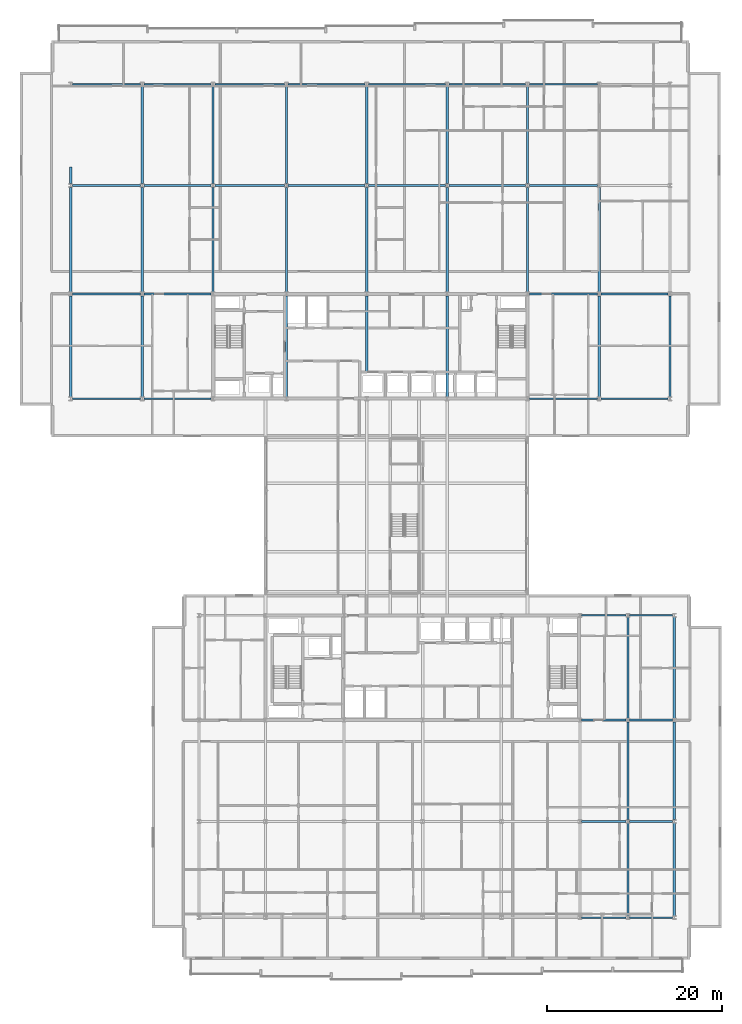
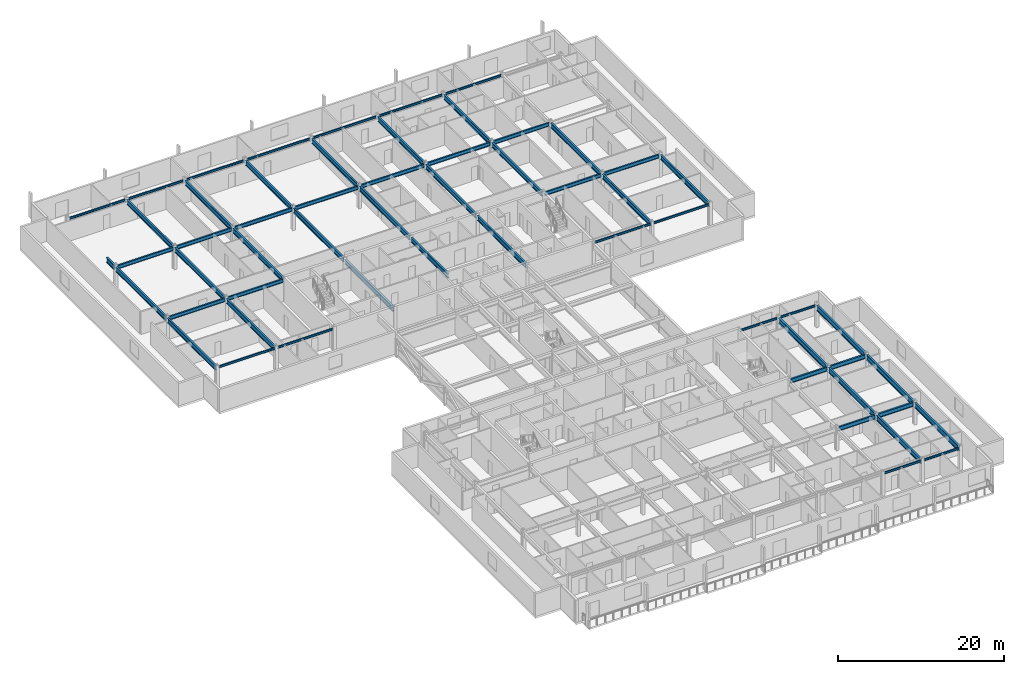
# One storey, part 13 of 36: 58 beams.
"""IFC4 building model written with IfcOpenShell, lengths in metres."""

from ifc_helpers import new_model, si_unit, direction, frame, origin, origin_2d, place, context, subcontext, project, spatial, i_section, extrude, material, material_profile, profile_set, type_object, element, save


model = new_model("IFC4")

# Units and contexts
model_context = context("Model", 3, precision=1e-05, world=origin(), true_north=direction((0.0, 1.0)))
body_context = subcontext(model_context, "Body", "Model", "MODEL_VIEW")
ifc_project = project(units=[si_unit("LENGTHUNIT", "METRE"), si_unit("AREAUNIT", "SQUARE_METRE"), si_unit("VOLUMEUNIT", "CUBIC_METRE"), si_unit("PLANEANGLEUNIT", "RADIAN"), si_unit("MASSUNIT", "GRAM", prefix="KILO")], contexts=[model_context])

# Site, building, storey
site_placement = place(None, origin())
site = spatial("IfcSite", under=ifc_project, at=site_placement, CompositionType="ELEMENT")
building_placement = place(site_placement, origin())
building = spatial("IfcBuilding", under=site, at=building_placement, Name="Korimba Cascade Residences", CompositionType="ELEMENT")
storey_placement = place(building_placement, frame((0.0, 0.0, 142.89990234375)))
storey = spatial("IfcBuildingStorey", under=building, at=storey_placement, Name="L41", CompositionType="ELEMENT", Elevation=142.89990234375)

# Beams
ifc_material = material(Name="Steel S355", Category="steel")
ifc_material_profile_1 = material_profile(ifc_material, i_section(OverallWidth=0.165771484375, OverallDepth=0.306640625, WebThickness=0.006591796875, FlangeThickness=0.01171875, FilletRadius=0.0087890625, at=origin_2d()), Name="Steel S355")
ifc_profile_set_1 = profile_set([ifc_material_profile_1], Name="Steel S355")
beam_type_1 = type_object("IfcBeamType", Name="BM-STL-UB305", PredefinedType="SPANDREL", material=ifc_profile_set_1)
beam_1_placement = place(storey_placement, frame((60.006103515625, 55.199951171875, 3.15673828125), z_axis=(1.0, 0.0, 0.0), x_axis=(0.0, 1.0, 0.0)))
element("IfcBeam", 1, at=beam_1_placement, inside=storey, type_object=beam_type_1, Name="L41 T1 E-W Girder Y1 Bay 1", PredefinedType="SPANDREL", context=body_context, shape_type="SweptSolid", body=[
    extrude(i_section(OverallWidth=0.165771484375, OverallDepth=0.306640625, WebThickness=0.006591796875, FlangeThickness=0.01171875, FilletRadius=0.0087890625, at=origin_2d()), origin(), (0.0, 0.0, 1.0), 7.787841796875),
])
beam_2_placement = place(storey_placement, frame((68.2060546875, 55.199951171875, 3.15673828125), z_axis=(1.0, 0.0, 0.0), x_axis=(0.0, 1.0, 0.0)))
element("IfcBeam", 2, at=beam_2_placement, inside=storey, type_object=beam_type_1, Name="L41 T1 E-W Girder Y1 Bay 2", PredefinedType="SPANDREL", context=body_context, shape_type="SweptSolid", body=[
    extrude(i_section(OverallWidth=0.165771484375, OverallDepth=0.306640625, WebThickness=0.006591796875, FlangeThickness=0.01171875, FilletRadius=0.0087890625, at=origin_2d()), origin(), (0.0, 0.0, 1.0), 7.687744140625),
])
beam_3_placement = place(storey_placement, frame((112.30615234375, 55.199951171875, 3.15673828125), z_axis=(1.0, 0.0, 0.0), x_axis=(0.0, 1.0, 0.0)))
element("IfcBeam", 3, at=beam_3_placement, inside=storey, type_object=beam_type_1, Name="L41 T1 E-W Girder Y1 Bay 7", PredefinedType="SPANDREL", context=body_context, shape_type="SweptSolid", body=[
    extrude(i_section(OverallWidth=0.165771484375, OverallDepth=0.306640625, WebThickness=0.006591796875, FlangeThickness=0.01171875, FilletRadius=0.0087890625, at=origin_2d()), origin(), (0.0, 0.0, 1.0), 7.787841796875),
])
beam_4_placement = place(storey_placement, frame((120.506103515625, 55.199951171875, 3.15673828125), z_axis=(1.0, 0.0, 0.0), x_axis=(0.0, 1.0, 0.0)))
element("IfcBeam", 4, at=beam_4_placement, inside=storey, type_object=beam_type_1, Name="L41 T1 E-W Girder Y1 Bay 8", PredefinedType="SPANDREL", context=body_context, shape_type="SweptSolid", body=[
    extrude(i_section(OverallWidth=0.165771484375, OverallDepth=0.306640625, WebThickness=0.006591796875, FlangeThickness=0.01171875, FilletRadius=0.0087890625, at=origin_2d()), origin(), (0.0, 0.0, 1.0), 7.687744140625),
])
beam_5_placement = place(storey_placement, frame((60.006103515625, 91.199951171875, 3.15673828125), z_axis=(1.0, 0.0, 0.0), x_axis=(0.0, 1.0, 0.0)))
element("IfcBeam", 5, at=beam_5_placement, inside=storey, type_object=beam_type_1, Name="L41 T1 E-W Girder Y4 Bay 1", PredefinedType="SPANDREL", context=body_context, shape_type="SweptSolid", body=[
    extrude(i_section(OverallWidth=0.165771484375, OverallDepth=0.306640625, WebThickness=0.006591796875, FlangeThickness=0.01171875, FilletRadius=0.0087890625, at=origin_2d()), origin(), (0.0, 0.0, 1.0), 7.787841796875),
])
beam_6_placement = place(storey_placement, frame((68.2060546875, 91.199951171875, 3.15673828125), z_axis=(1.0, 0.0, 0.0), x_axis=(0.0, 1.0, 0.0)))
element("IfcBeam", 6, at=beam_6_placement, inside=storey, type_object=beam_type_1, Name="L41 T1 E-W Girder Y4 Bay 2", PredefinedType="SPANDREL", context=body_context, shape_type="SweptSolid", body=[
    extrude(i_section(OverallWidth=0.165771484375, OverallDepth=0.306640625, WebThickness=0.006591796875, FlangeThickness=0.01171875, FilletRadius=0.0087890625, at=origin_2d()), origin(), (0.0, 0.0, 1.0), 7.687744140625),
])
beam_7_placement = place(storey_placement, frame((76.30615234375, 91.199951171875, 3.15673828125), z_axis=(1.0, 0.0, 0.0), x_axis=(0.0, 1.0, 0.0)))
element("IfcBeam", 7, at=beam_7_placement, inside=storey, type_object=beam_type_1, Name="L41 T1 E-W Girder Y4 Bay 3", PredefinedType="SPANDREL", context=body_context, shape_type="SweptSolid", body=[
    extrude(i_section(OverallWidth=0.165771484375, OverallDepth=0.306640625, WebThickness=0.006591796875, FlangeThickness=0.01171875, FilletRadius=0.0087890625, at=origin_2d()), origin(), (0.0, 0.0, 1.0), 7.98779296875),
])
for number, where, z_axis, x_axis, name in (
    (8, (84.7060546875, 91.199951171875, 3.15673828125), (1.0, 0.0, 0.0), (0.0, 1.0, 0.0), "L41 T1 E-W Girder Y4 Bay 4"),
    (9, (93.906005859375, 91.199951171875, 3.15673828125), (1.0, 0.0, 0.0), (0.0, 1.0, 0.0), "L41 T1 E-W Girder Y4 Bay 5"),
):
    element("IfcBeam", number, at=place(storey_placement, frame(where, z_axis=z_axis, x_axis=x_axis)), inside=storey, type_object=beam_type_1, Name=name, PredefinedType="SPANDREL", context=body_context, shape_type="SweptSolid", body=[
        extrude(i_section(OverallWidth=0.165771484375, OverallDepth=0.306640625, WebThickness=0.006591796875, FlangeThickness=0.01171875, FilletRadius=0.0087890625, at=origin_2d()), origin(), (0.0, 0.0, 1.0), 8.787841796875),
    ])
beam_8_placement = place(storey_placement, frame((103.106201171875, 91.199951171875, 3.15673828125), z_axis=(1.0, 0.0, 0.0), x_axis=(0.0, 1.0, 0.0)))
element("IfcBeam", 10, at=beam_8_placement, inside=storey, type_object=beam_type_1, Name="L41 T1 E-W Girder Y4 Bay 6", PredefinedType="SPANDREL", context=body_context, shape_type="SweptSolid", body=[
    extrude(i_section(OverallWidth=0.165771484375, OverallDepth=0.306640625, WebThickness=0.006591796875, FlangeThickness=0.01171875, FilletRadius=0.0087890625, at=origin_2d()), origin(), (0.0, 0.0, 1.0), 8.78759765625),
])
beam_9_placement = place(storey_placement, frame((112.30615234375, 91.199951171875, 3.15673828125), z_axis=(1.0, 0.0, 0.0), x_axis=(0.0, 1.0, 0.0)))
element("IfcBeam", 11, at=beam_9_placement, inside=storey, type_object=beam_type_1, Name="L41 T1 E-W Girder Y4 Bay 7", PredefinedType="SPANDREL", context=body_context, shape_type="SweptSolid", body=[
    extrude(i_section(OverallWidth=0.165771484375, OverallDepth=0.306640625, WebThickness=0.006591796875, FlangeThickness=0.01171875, FilletRadius=0.0087890625, at=origin_2d()), origin(), (0.0, 0.0, 1.0), 7.787841796875),
])
beam_10_placement = place(storey_placement, frame((118.301513671875, -4.199951171875, 3.15673828125), z_axis=(1.0, 0.0, 0.0), x_axis=(0.0, 1.0, 0.0)))
element("IfcBeam", 12, at=beam_10_placement, inside=storey, type_object=beam_type_1, Name="L41 T2 E-W Girder Y1 Bay 6", PredefinedType="SPANDREL", context=body_context, shape_type="SweptSolid", body=[
    extrude(i_section(OverallWidth=0.165771484375, OverallDepth=0.306640625, WebThickness=0.006591796875, FlangeThickness=0.01171875, FilletRadius=0.0087890625, at=origin_2d()), origin(), (0.0, 0.0, 1.0), 5.096923828125),
])
beam_11_placement = place(storey_placement, frame((123.801513671875, -4.199951171875, 3.15673828125), z_axis=(1.0, 0.0, 0.0), x_axis=(0.0, 1.0, 0.0)))
element("IfcBeam", 13, at=beam_11_placement, inside=storey, type_object=beam_type_1, Name="L41 T2 E-W Girder Y1 Bay 7", PredefinedType="SPANDREL", context=body_context, shape_type="SweptSolid", body=[
    extrude(i_section(OverallWidth=0.165771484375, OverallDepth=0.306640625, WebThickness=0.006591796875, FlangeThickness=0.01171875, FilletRadius=0.0087890625, at=origin_2d()), origin(), (0.0, 0.0, 1.0), 4.89697265625),
])
beam_12_placement = place(storey_placement, frame((118.301513671875, 30.39990234375, 3.15673828125), z_axis=(1.0, 0.0, 0.0), x_axis=(0.0, 1.0, 0.0)))
element("IfcBeam", 14, at=beam_12_placement, inside=storey, type_object=beam_type_1, Name="L41 T2 E-W Girder Y4 Bay 6", PredefinedType="SPANDREL", context=body_context, shape_type="SweptSolid", body=[
    extrude(i_section(OverallWidth=0.165771484375, OverallDepth=0.306640625, WebThickness=0.006591796875, FlangeThickness=0.01171875, FilletRadius=0.0087890625, at=origin_2d()), origin(), (0.0, 0.0, 1.0), 5.096923828125),
])
beam_13_placement = place(storey_placement, frame((123.801513671875, 30.39990234375, 3.15673828125), z_axis=(1.0, 0.0, 0.0), x_axis=(0.0, 1.0, 0.0)))
element("IfcBeam", 15, at=beam_13_placement, inside=storey, type_object=beam_type_1, Name="L41 T2 E-W Girder Y4 Bay 7", PredefinedType="SPANDREL", context=body_context, shape_type="SweptSolid", body=[
    extrude(i_section(OverallWidth=0.165771484375, OverallDepth=0.306640625, WebThickness=0.006591796875, FlangeThickness=0.01171875, FilletRadius=0.0087890625, at=origin_2d()), origin(), (0.0, 0.0, 1.0), 4.89697265625),
])
ifc_material_profile_2 = material_profile(ifc_material, i_section(OverallWidth=0.2099609375, OverallDepth=0.53662109375, WebThickness=0.0107421875, FlangeThickness=0.017333984375, FilletRadius=0.0126953125, at=origin_2d()), Name="Steel S355")
ifc_profile_set_2 = profile_set([ifc_material_profile_2], Name="Steel S355")
beam_type_2 = type_object("IfcBeamType", Name="BM-STL-UB533", PredefinedType="BEAM", material=ifc_profile_set_2)
beam_14_placement = place(storey_placement, frame((60.006103515625, 67.199951171875, 3.041748046875), z_axis=(1.0, 0.0, 0.0), x_axis=(0.0, 1.0, 0.0)))
element("IfcBeam", 16, at=beam_14_placement, inside=storey, type_object=beam_type_2, Name="L41 T1 E-W Girder Y2 Bay 1", PredefinedType="BEAM", context=body_context, shape_type="SweptSolid", body=[
    extrude(i_section(OverallWidth=0.2099609375, OverallDepth=0.53662109375, WebThickness=0.0107421875, FlangeThickness=0.017333984375, FilletRadius=0.0126953125, at=origin_2d()), origin(), (0.0, 0.0, 1.0), 7.787841796875),
])
beam_15_placement = place(storey_placement, frame((68.2060546875, 67.199951171875, 3.041748046875), z_axis=(1.0, 0.0, 0.0), x_axis=(0.0, 1.0, 0.0)))
element("IfcBeam", 17, at=beam_15_placement, inside=storey, type_object=beam_type_2, Name="L41 T1 E-W Girder Y2 Bay 2", PredefinedType="BEAM", context=body_context, shape_type="SweptSolid", body=[
    extrude(i_section(OverallWidth=0.2099609375, OverallDepth=0.53662109375, WebThickness=0.0107421875, FlangeThickness=0.017333984375, FilletRadius=0.0126953125, at=origin_2d()), origin(), (0.0, 0.0, 1.0), 7.687744140625),
])
beam_16_placement = place(storey_placement, frame((112.30615234375, 67.199951171875, 3.041748046875), z_axis=(1.0, 0.0, 0.0), x_axis=(0.0, 1.0, 0.0)))
element("IfcBeam", 18, at=beam_16_placement, inside=storey, type_object=beam_type_2, Name="L41 T1 E-W Girder Y2 Bay 7", PredefinedType="BEAM", context=body_context, shape_type="SweptSolid", body=[
    extrude(i_section(OverallWidth=0.2099609375, OverallDepth=0.53662109375, WebThickness=0.0107421875, FlangeThickness=0.017333984375, FilletRadius=0.0126953125, at=origin_2d()), origin(), (0.0, 0.0, 1.0), 7.787841796875),
])
beam_17_placement = place(storey_placement, frame((120.506103515625, 67.199951171875, 3.041748046875), z_axis=(1.0, 0.0, 0.0), x_axis=(0.0, 1.0, 0.0)))
element("IfcBeam", 19, at=beam_17_placement, inside=storey, type_object=beam_type_2, Name="L41 T1 E-W Girder Y2 Bay 8", PredefinedType="BEAM", context=body_context, shape_type="SweptSolid", body=[
    extrude(i_section(OverallWidth=0.2099609375, OverallDepth=0.53662109375, WebThickness=0.0107421875, FlangeThickness=0.017333984375, FilletRadius=0.0126953125, at=origin_2d()), origin(), (0.0, 0.0, 1.0), 7.687744140625),
])
beam_18_placement = place(storey_placement, frame((60.006103515625, 79.60009765625, 3.041748046875), z_axis=(1.0, 0.0, 0.0), x_axis=(0.0, 1.0, 0.0)))
element("IfcBeam", 20, at=beam_18_placement, inside=storey, type_object=beam_type_2, Name="L41 T1 E-W Girder Y3 Bay 1", PredefinedType="BEAM", context=body_context, shape_type="SweptSolid", body=[
    extrude(i_section(OverallWidth=0.2099609375, OverallDepth=0.53662109375, WebThickness=0.0107421875, FlangeThickness=0.017333984375, FilletRadius=0.0126953125, at=origin_2d()), origin(), (0.0, 0.0, 1.0), 7.787841796875),
])
beam_19_placement = place(storey_placement, frame((68.2060546875, 79.60009765625, 3.041748046875), z_axis=(1.0, 0.0, 0.0), x_axis=(0.0, 1.0, 0.0)))
element("IfcBeam", 21, at=beam_19_placement, inside=storey, type_object=beam_type_2, Name="L41 T1 E-W Girder Y3 Bay 2", PredefinedType="BEAM", context=body_context, shape_type="SweptSolid", body=[
    extrude(i_section(OverallWidth=0.2099609375, OverallDepth=0.53662109375, WebThickness=0.0107421875, FlangeThickness=0.017333984375, FilletRadius=0.0126953125, at=origin_2d()), origin(), (0.0, 0.0, 1.0), 7.687744140625),
])
beam_20_placement = place(storey_placement, frame((76.30615234375, 79.60009765625, 3.041748046875), z_axis=(1.0, 0.0, 0.0), x_axis=(0.0, 1.0, 0.0)))
element("IfcBeam", 22, at=beam_20_placement, inside=storey, type_object=beam_type_2, Name="L41 T1 E-W Girder Y3 Bay 3", PredefinedType="BEAM", context=body_context, shape_type="SweptSolid", body=[
    extrude(i_section(OverallWidth=0.2099609375, OverallDepth=0.53662109375, WebThickness=0.0107421875, FlangeThickness=0.017333984375, FilletRadius=0.0126953125, at=origin_2d()), origin(), (0.0, 0.0, 1.0), 7.98779296875),
])
for number, where, z_axis, x_axis, name in (
    (23, (84.7060546875, 79.60009765625, 3.041748046875), (1.0, 0.0, 0.0), (0.0, 1.0, 0.0), "L41 T1 E-W Girder Y3 Bay 4"),
    (24, (93.906005859375, 79.60009765625, 3.041748046875), (1.0, 0.0, 0.0), (0.0, 1.0, 0.0), "L41 T1 E-W Girder Y3 Bay 5"),
):
    element("IfcBeam", number, at=place(storey_placement, frame(where, z_axis=z_axis, x_axis=x_axis)), inside=storey, type_object=beam_type_2, Name=name, PredefinedType="BEAM", context=body_context, shape_type="SweptSolid", body=[
        extrude(i_section(OverallWidth=0.2099609375, OverallDepth=0.53662109375, WebThickness=0.0107421875, FlangeThickness=0.017333984375, FilletRadius=0.0126953125, at=origin_2d()), origin(), (0.0, 0.0, 1.0), 8.787841796875),
    ])
beam_21_placement = place(storey_placement, frame((103.106201171875, 79.60009765625, 3.041748046875), z_axis=(1.0, 0.0, 0.0), x_axis=(0.0, 1.0, 0.0)))
element("IfcBeam", 25, at=beam_21_placement, inside=storey, type_object=beam_type_2, Name="L41 T1 E-W Girder Y3 Bay 6", PredefinedType="BEAM", context=body_context, shape_type="SweptSolid", body=[
    extrude(i_section(OverallWidth=0.2099609375, OverallDepth=0.53662109375, WebThickness=0.0107421875, FlangeThickness=0.017333984375, FilletRadius=0.0126953125, at=origin_2d()), origin(), (0.0, 0.0, 1.0), 8.78759765625),
])
beam_22_placement = place(storey_placement, frame((112.30615234375, 79.60009765625, 3.041748046875), z_axis=(1.0, 0.0, 0.0), x_axis=(0.0, 1.0, 0.0)))
element("IfcBeam", 26, at=beam_22_placement, inside=storey, type_object=beam_type_2, Name="L41 T1 E-W Girder Y3 Bay 7", PredefinedType="BEAM", context=body_context, shape_type="SweptSolid", body=[
    extrude(i_section(OverallWidth=0.2099609375, OverallDepth=0.53662109375, WebThickness=0.0107421875, FlangeThickness=0.017333984375, FilletRadius=0.0126953125, at=origin_2d()), origin(), (0.0, 0.0, 1.0), 7.787841796875),
])
ifc_material_profile_3 = material_profile(ifc_material, i_section(OverallWidth=0.22900390625, OverallDepth=0.6123046875, WebThickness=0.011962890625, FlangeThickness=0.01953125, FilletRadius=0.0126953125, at=origin_2d()), Name="Steel S355")
ifc_profile_set_3 = profile_set([ifc_material_profile_3], Name="Steel S355")
beam_type_3 = type_object("IfcBeamType", Name="BM-STL-UB610B", PredefinedType="BEAM", material=ifc_profile_set_3)
beam_23_placement = place(storey_placement, frame((118.301513671875, 6.800048828125, 3.00390625), z_axis=(1.0, 0.0, 0.0), x_axis=(0.0, 1.0, 0.0)))
element("IfcBeam", 27, at=beam_23_placement, inside=storey, type_object=beam_type_3, Name="L41 T2 E-W Girder Y2 Bay 6", PredefinedType="BEAM", context=body_context, shape_type="SweptSolid", body=[
    extrude(i_section(OverallWidth=0.22900390625, OverallDepth=0.6123046875, WebThickness=0.011962890625, FlangeThickness=0.01953125, FilletRadius=0.0126953125, at=origin_2d()), origin(), (0.0, 0.0, 1.0), 5.096923828125),
])
beam_24_placement = place(storey_placement, frame((123.801513671875, 6.800048828125, 3.00390625), z_axis=(1.0, 0.0, 0.0), x_axis=(0.0, 1.0, 0.0)))
element("IfcBeam", 28, at=beam_24_placement, inside=storey, type_object=beam_type_3, Name="L41 T2 E-W Girder Y2 Bay 7", PredefinedType="BEAM", context=body_context, shape_type="SweptSolid", body=[
    extrude(i_section(OverallWidth=0.22900390625, OverallDepth=0.6123046875, WebThickness=0.011962890625, FlangeThickness=0.01953125, FilletRadius=0.0126953125, at=origin_2d()), origin(), (0.0, 0.0, 1.0), 4.89697265625),
])
beam_25_placement = place(storey_placement, frame((118.301513671875, 18.39990234375, 3.00390625), z_axis=(1.0, 0.0, 0.0), x_axis=(0.0, 1.0, 0.0)))
element("IfcBeam", 29, at=beam_25_placement, inside=storey, type_object=beam_type_3, Name="L41 T2 E-W Girder Y3 Bay 6", PredefinedType="BEAM", context=body_context, shape_type="SweptSolid", body=[
    extrude(i_section(OverallWidth=0.22900390625, OverallDepth=0.6123046875, WebThickness=0.011962890625, FlangeThickness=0.01953125, FilletRadius=0.0126953125, at=origin_2d()), origin(), (0.0, 0.0, 1.0), 5.096923828125),
])
beam_26_placement = place(storey_placement, frame((123.801513671875, 18.39990234375, 3.00390625), z_axis=(1.0, 0.0, 0.0), x_axis=(0.0, 1.0, 0.0)))
element("IfcBeam", 30, at=beam_26_placement, inside=storey, type_object=beam_type_3, Name="L41 T2 E-W Girder Y3 Bay 7", PredefinedType="BEAM", context=body_context, shape_type="SweptSolid", body=[
    extrude(i_section(OverallWidth=0.22900390625, OverallDepth=0.6123046875, WebThickness=0.011962890625, FlangeThickness=0.01953125, FilletRadius=0.0126953125, at=origin_2d()), origin(), (0.0, 0.0, 1.0), 4.89697265625),
])
ifc_material_profile_4 = material_profile(ifc_material, i_section(OverallWidth=0.255859375, OverallDepth=0.69287109375, WebThickness=0.014404296875, FlangeThickness=0.023681640625, FilletRadius=0.01513671875, at=origin_2d()), Name="Steel S355")
ifc_profile_set_4 = profile_set([ifc_material_profile_4], Name="Steel S355")
beam_type_4 = type_object("IfcBeamType", Name="BM-STL-UB686", PredefinedType="BEAM", material=ifc_profile_set_4)
beam_27_placement = place(storey_placement, frame((59.800048828125, 55.418212890625, 2.963623046875), z_axis=(0.0, 1.0, 0.0), x_axis=(-1.0, 0.0, 0.0)))
element("IfcBeam", 31, at=beam_27_placement, inside=storey, type_object=beam_type_4, Name="L41 T1 N-S Girder X1 Seg 1", PredefinedType="BEAM", context=body_context, shape_type="SweptSolid", body=[
    extrude(i_section(OverallWidth=0.255859375, OverallDepth=0.69287109375, WebThickness=0.014404296875, FlangeThickness=0.023681640625, FilletRadius=0.01513671875, at=origin_2d()), origin(), (0.0, 0.0, 1.0), 11.5634765625),
])
beam_28_placement = place(storey_placement, frame((59.800048828125, 67.418212890625, 2.963623046875), z_axis=(0.0, 1.0, 0.0), x_axis=(-1.0, 0.0, 0.0)))
element("IfcBeam", 32, at=beam_28_placement, inside=storey, type_object=beam_type_4, Name="L41 T1 N-S Girder X1 Seg 2", PredefinedType="BEAM", context=body_context, shape_type="SweptSolid", body=[
    extrude(i_section(OverallWidth=0.255859375, OverallDepth=0.69287109375, WebThickness=0.014404296875, FlangeThickness=0.023681640625, FilletRadius=0.01513671875, at=origin_2d()), origin(), (0.0, 0.0, 1.0), 11.96337890625),
])
beam_29_placement = place(storey_placement, frame((59.800048828125, 79.818359375, 2.963623046875), z_axis=(0.0, 1.0, 0.0), x_axis=(-1.0, 0.0, 0.0)))
element("IfcBeam", 33, at=beam_29_placement, inside=storey, type_object=beam_type_4, Name="L41 T1 N-S Girder X1 Seg 3", PredefinedType="BEAM", context=body_context, shape_type="SweptSolid", body=[
    extrude(i_section(OverallWidth=0.255859375, OverallDepth=0.69287109375, WebThickness=0.014404296875, FlangeThickness=0.023681640625, FilletRadius=0.01513671875, at=origin_2d()), origin(), (0.0, 0.0, 1.0), 1.881591796875),
])
beam_30_placement = place(storey_placement, frame((68.0, 55.418212890625, 2.963623046875), z_axis=(0.0, 1.0, 0.0), x_axis=(-1.0, 0.0, 0.0)))
element("IfcBeam", 34, at=beam_30_placement, inside=storey, type_object=beam_type_4, Name="L41 T1 N-S Girder X2 Seg 1", PredefinedType="BEAM", context=body_context, shape_type="SweptSolid", body=[
    extrude(i_section(OverallWidth=0.255859375, OverallDepth=0.69287109375, WebThickness=0.014404296875, FlangeThickness=0.023681640625, FilletRadius=0.01513671875, at=origin_2d()), origin(), (0.0, 0.0, 1.0), 11.5634765625),
])
beam_31_placement = place(storey_placement, frame((68.0, 67.418212890625, 2.963623046875), z_axis=(0.0, 1.0, 0.0), x_axis=(-1.0, 0.0, 0.0)))
element("IfcBeam", 35, at=beam_31_placement, inside=storey, type_object=beam_type_4, Name="L41 T1 N-S Girder X2 Seg 2", PredefinedType="BEAM", context=body_context, shape_type="SweptSolid", body=[
    extrude(i_section(OverallWidth=0.255859375, OverallDepth=0.69287109375, WebThickness=0.014404296875, FlangeThickness=0.023681640625, FilletRadius=0.01513671875, at=origin_2d()), origin(), (0.0, 0.0, 1.0), 11.96337890625),
])
beam_32_placement = place(storey_placement, frame((68.0, 79.818359375, 2.963623046875), z_axis=(0.0, 1.0, 0.0), x_axis=(-1.0, 0.0, 0.0)))
element("IfcBeam", 36, at=beam_32_placement, inside=storey, type_object=beam_type_4, Name="L41 T1 N-S Girder X2 Seg 3", PredefinedType="BEAM", context=body_context, shape_type="SweptSolid", body=[
    extrude(i_section(OverallWidth=0.255859375, OverallDepth=0.69287109375, WebThickness=0.014404296875, FlangeThickness=0.023681640625, FilletRadius=0.01513671875, at=origin_2d()), origin(), (0.0, 0.0, 1.0), 11.163330078125),
])
beam_33_placement = place(storey_placement, frame((76.10009765625, 67.418212890625, 2.963623046875), z_axis=(0.0, 1.0, 0.0), x_axis=(-1.0, 0.0, 0.0)))
element("IfcBeam", 37, at=beam_33_placement, inside=storey, type_object=beam_type_4, Name="L41 T1 N-S Girder X3 Seg 2", PredefinedType="BEAM", context=body_context, shape_type="SweptSolid", body=[
    extrude(i_section(OverallWidth=0.255859375, OverallDepth=0.69287109375, WebThickness=0.014404296875, FlangeThickness=0.023681640625, FilletRadius=0.01513671875, at=origin_2d()), origin(), (0.0, 0.0, 1.0), 11.96337890625),
])
beam_34_placement = place(storey_placement, frame((76.10009765625, 79.818359375, 2.963623046875), z_axis=(0.0, 1.0, 0.0), x_axis=(-1.0, 0.0, 0.0)))
element("IfcBeam", 38, at=beam_34_placement, inside=storey, type_object=beam_type_4, Name="L41 T1 N-S Girder X3 Seg 3", PredefinedType="BEAM", context=body_context, shape_type="SweptSolid", body=[
    extrude(i_section(OverallWidth=0.255859375, OverallDepth=0.69287109375, WebThickness=0.014404296875, FlangeThickness=0.023681640625, FilletRadius=0.01513671875, at=origin_2d()), origin(), (0.0, 0.0, 1.0), 11.163330078125),
])
beam_35_placement = place(storey_placement, frame((84.5, 55.418212890625, 2.963623046875), z_axis=(0.0, 1.0, 0.0), x_axis=(-1.0, 0.0, 0.0)))
element("IfcBeam", 39, at=beam_35_placement, inside=storey, type_object=beam_type_4, Name="L41 T1 N-S Girder X4 Seg 1", PredefinedType="BEAM", context=body_context, shape_type="SweptSolid", body=[
    extrude(i_section(OverallWidth=0.255859375, OverallDepth=0.69287109375, WebThickness=0.014404296875, FlangeThickness=0.023681640625, FilletRadius=0.01513671875, at=origin_2d()), origin(), (0.0, 0.0, 1.0), 11.5634765625),
])
beam_36_placement = place(storey_placement, frame((84.5, 67.418212890625, 2.963623046875), z_axis=(0.0, 1.0, 0.0), x_axis=(-1.0, 0.0, 0.0)))
element("IfcBeam", 40, at=beam_36_placement, inside=storey, type_object=beam_type_4, Name="L41 T1 N-S Girder X4 Seg 2", PredefinedType="BEAM", context=body_context, shape_type="SweptSolid", body=[
    extrude(i_section(OverallWidth=0.255859375, OverallDepth=0.69287109375, WebThickness=0.014404296875, FlangeThickness=0.023681640625, FilletRadius=0.01513671875, at=origin_2d()), origin(), (0.0, 0.0, 1.0), 11.96337890625),
])
beam_37_placement = place(storey_placement, frame((84.5, 79.818359375, 2.963623046875), z_axis=(0.0, 1.0, 0.0), x_axis=(-1.0, 0.0, 0.0)))
element("IfcBeam", 41, at=beam_37_placement, inside=storey, type_object=beam_type_4, Name="L41 T1 N-S Girder X4 Seg 3", PredefinedType="BEAM", context=body_context, shape_type="SweptSolid", body=[
    extrude(i_section(OverallWidth=0.255859375, OverallDepth=0.69287109375, WebThickness=0.014404296875, FlangeThickness=0.023681640625, FilletRadius=0.01513671875, at=origin_2d()), origin(), (0.0, 0.0, 1.0), 11.163330078125),
])
beam_38_placement = place(storey_placement, frame((93.699951171875, 58.159912109375, 2.963623046875), z_axis=(0.0, 1.0, 0.0), x_axis=(-1.0, 0.0, 0.0)))
element("IfcBeam", 42, at=beam_38_placement, inside=storey, type_object=beam_type_4, Name="L41 T1 N-S Girder X5 Seg 1", PredefinedType="BEAM", context=body_context, shape_type="SweptSolid", body=[
    extrude(i_section(OverallWidth=0.255859375, OverallDepth=0.69287109375, WebThickness=0.014404296875, FlangeThickness=0.023681640625, FilletRadius=0.01513671875, at=origin_2d()), origin(), (0.0, 0.0, 1.0), 8.82177734375),
])
beam_39_placement = place(storey_placement, frame((93.699951171875, 67.418212890625, 2.963623046875), z_axis=(0.0, 1.0, 0.0), x_axis=(-1.0, 0.0, 0.0)))
element("IfcBeam", 43, at=beam_39_placement, inside=storey, type_object=beam_type_4, Name="L41 T1 N-S Girder X5 Seg 2", PredefinedType="BEAM", context=body_context, shape_type="SweptSolid", body=[
    extrude(i_section(OverallWidth=0.255859375, OverallDepth=0.69287109375, WebThickness=0.014404296875, FlangeThickness=0.023681640625, FilletRadius=0.01513671875, at=origin_2d()), origin(), (0.0, 0.0, 1.0), 11.96337890625),
])
beam_40_placement = place(storey_placement, frame((93.699951171875, 79.818359375, 2.963623046875), z_axis=(0.0, 1.0, 0.0), x_axis=(-1.0, 0.0, 0.0)))
element("IfcBeam", 44, at=beam_40_placement, inside=storey, type_object=beam_type_4, Name="L41 T1 N-S Girder X5 Seg 3", PredefinedType="BEAM", context=body_context, shape_type="SweptSolid", body=[
    extrude(i_section(OverallWidth=0.255859375, OverallDepth=0.69287109375, WebThickness=0.014404296875, FlangeThickness=0.023681640625, FilletRadius=0.01513671875, at=origin_2d()), origin(), (0.0, 0.0, 1.0), 11.163330078125),
])
beam_41_placement = place(storey_placement, frame((102.89990234375, 55.418212890625, 2.963623046875), z_axis=(0.0, 1.0, 0.0), x_axis=(-1.0, 0.0, 0.0)))
element("IfcBeam", 45, at=beam_41_placement, inside=storey, type_object=beam_type_4, Name="L41 T1 N-S Girder X6 Seg 1", PredefinedType="BEAM", context=body_context, shape_type="SweptSolid", body=[
    extrude(i_section(OverallWidth=0.255859375, OverallDepth=0.69287109375, WebThickness=0.014404296875, FlangeThickness=0.023681640625, FilletRadius=0.01513671875, at=origin_2d()), origin(), (0.0, 0.0, 1.0), 11.5634765625),
])
beam_42_placement = place(storey_placement, frame((102.89990234375, 67.418212890625, 2.963623046875), z_axis=(0.0, 1.0, 0.0), x_axis=(-1.0, 0.0, 0.0)))
element("IfcBeam", 46, at=beam_42_placement, inside=storey, type_object=beam_type_4, Name="L41 T1 N-S Girder X6 Seg 2", PredefinedType="BEAM", context=body_context, shape_type="SweptSolid", body=[
    extrude(i_section(OverallWidth=0.255859375, OverallDepth=0.69287109375, WebThickness=0.014404296875, FlangeThickness=0.023681640625, FilletRadius=0.01513671875, at=origin_2d()), origin(), (0.0, 0.0, 1.0), 11.96337890625),
])
beam_43_placement = place(storey_placement, frame((102.89990234375, 79.818359375, 2.963623046875), z_axis=(0.0, 1.0, 0.0), x_axis=(-1.0, 0.0, 0.0)))
element("IfcBeam", 47, at=beam_43_placement, inside=storey, type_object=beam_type_4, Name="L41 T1 N-S Girder X6 Seg 3", PredefinedType="BEAM", context=body_context, shape_type="SweptSolid", body=[
    extrude(i_section(OverallWidth=0.255859375, OverallDepth=0.69287109375, WebThickness=0.014404296875, FlangeThickness=0.023681640625, FilletRadius=0.01513671875, at=origin_2d()), origin(), (0.0, 0.0, 1.0), 11.163330078125),
])
beam_44_placement = place(storey_placement, frame((112.10009765625, 67.418212890625, 2.963623046875), z_axis=(0.0, 1.0, 0.0), x_axis=(-1.0, 0.0, 0.0)))
element("IfcBeam", 48, at=beam_44_placement, inside=storey, type_object=beam_type_4, Name="L41 T1 N-S Girder X7 Seg 2", PredefinedType="BEAM", context=body_context, shape_type="SweptSolid", body=[
    extrude(i_section(OverallWidth=0.255859375, OverallDepth=0.69287109375, WebThickness=0.014404296875, FlangeThickness=0.023681640625, FilletRadius=0.01513671875, at=origin_2d()), origin(), (0.0, 0.0, 1.0), 11.96337890625),
])
beam_45_placement = place(storey_placement, frame((112.10009765625, 79.818359375, 2.963623046875), z_axis=(0.0, 1.0, 0.0), x_axis=(-1.0, 0.0, 0.0)))
element("IfcBeam", 49, at=beam_45_placement, inside=storey, type_object=beam_type_4, Name="L41 T1 N-S Girder X7 Seg 3", PredefinedType="BEAM", context=body_context, shape_type="SweptSolid", body=[
    extrude(i_section(OverallWidth=0.255859375, OverallDepth=0.69287109375, WebThickness=0.014404296875, FlangeThickness=0.023681640625, FilletRadius=0.01513671875, at=origin_2d()), origin(), (0.0, 0.0, 1.0), 11.163330078125),
])
beam_46_placement = place(storey_placement, frame((120.300048828125, 55.418212890625, 2.963623046875), z_axis=(0.0, 1.0, 0.0), x_axis=(-1.0, 0.0, 0.0)))
element("IfcBeam", 50, at=beam_46_placement, inside=storey, type_object=beam_type_4, Name="L41 T1 N-S Girder X8 Seg 1", PredefinedType="BEAM", context=body_context, shape_type="SweptSolid", body=[
    extrude(i_section(OverallWidth=0.255859375, OverallDepth=0.69287109375, WebThickness=0.014404296875, FlangeThickness=0.023681640625, FilletRadius=0.01513671875, at=origin_2d()), origin(), (0.0, 0.0, 1.0), 11.5634765625),
])
beam_47_placement = place(storey_placement, frame((120.300048828125, 67.418212890625, 2.963623046875), z_axis=(0.0, 1.0, 0.0), x_axis=(-1.0, 0.0, 0.0)))
element("IfcBeam", 51, at=beam_47_placement, inside=storey, type_object=beam_type_4, Name="L41 T1 N-S Girder X8 Seg 2", PredefinedType="BEAM", context=body_context, shape_type="SweptSolid", body=[
    extrude(i_section(OverallWidth=0.255859375, OverallDepth=0.69287109375, WebThickness=0.014404296875, FlangeThickness=0.023681640625, FilletRadius=0.01513671875, at=origin_2d()), origin(), (0.0, 0.0, 1.0), 11.96337890625),
])
beam_48_placement = place(storey_placement, frame((128.39990234375, 55.418212890625, 2.963623046875), z_axis=(0.0, 1.0, 0.0), x_axis=(-1.0, 0.0, 0.0)))
element("IfcBeam", 52, at=beam_48_placement, inside=storey, type_object=beam_type_4, Name="L41 T1 N-S Girder X9 Seg 1", PredefinedType="BEAM", context=body_context, shape_type="SweptSolid", body=[
    extrude(i_section(OverallWidth=0.255859375, OverallDepth=0.69287109375, WebThickness=0.014404296875, FlangeThickness=0.023681640625, FilletRadius=0.01513671875, at=origin_2d()), origin(), (0.0, 0.0, 1.0), 11.5634765625),
])
ifc_material_profile_5 = material_profile(ifc_material, i_section(OverallWidth=0.26806640625, OverallDepth=0.769775390625, WebThickness=0.015625, FlangeThickness=0.025390625, FilletRadius=0.0166015625, at=origin_2d()), Name="Steel S355")
ifc_profile_set_5 = profile_set([ifc_material_profile_5], Name="Steel S355")
beam_type_5 = type_object("IfcBeamType", Name="BM-STL-UB762", PredefinedType="BEAM", material=ifc_profile_set_5)
beam_49_placement = place(storey_placement, frame((123.60009765625, -3.996826171875, 2.92529296875), z_axis=(0.0, 1.0, 0.0), x_axis=(-1.0, 0.0, 0.0)))
element("IfcBeam", 53, at=beam_49_placement, inside=storey, type_object=beam_type_5, Name="L41 T2 N-S Girder X7 Seg 1", PredefinedType="BEAM", context=body_context, shape_type="SweptSolid", body=[
    extrude(i_section(OverallWidth=0.26806640625, OverallDepth=0.769775390625, WebThickness=0.015625, FlangeThickness=0.025390625, FilletRadius=0.0166015625, at=origin_2d()), origin(), (0.0, 0.0, 1.0), 10.593505859375),
])
beam_50_placement = place(storey_placement, frame((123.60009765625, 7.003173828125, 2.92529296875), z_axis=(0.0, 1.0, 0.0), x_axis=(-1.0, 0.0, 0.0)))
element("IfcBeam", 54, at=beam_50_placement, inside=storey, type_object=beam_type_5, Name="L41 T2 N-S Girder X7 Seg 2", PredefinedType="BEAM", context=body_context, shape_type="SweptSolid", body=[
    extrude(i_section(OverallWidth=0.26806640625, OverallDepth=0.769775390625, WebThickness=0.015625, FlangeThickness=0.025390625, FilletRadius=0.0166015625, at=origin_2d()), origin(), (0.0, 0.0, 1.0), 11.193603515625),
])
beam_51_placement = place(storey_placement, frame((123.60009765625, 18.603271484375, 2.92529296875), z_axis=(0.0, 1.0, 0.0), x_axis=(-1.0, 0.0, 0.0)))
element("IfcBeam", 55, at=beam_51_placement, inside=storey, type_object=beam_type_5, Name="L41 T2 N-S Girder X7 Seg 3", PredefinedType="BEAM", context=body_context, shape_type="SweptSolid", body=[
    extrude(i_section(OverallWidth=0.26806640625, OverallDepth=0.769775390625, WebThickness=0.015625, FlangeThickness=0.025390625, FilletRadius=0.0166015625, at=origin_2d()), origin(), (0.0, 0.0, 1.0), 11.593505859375),
])
beam_52_placement = place(storey_placement, frame((128.89990234375, -3.996826171875, 2.92529296875), z_axis=(0.0, 1.0, 0.0), x_axis=(-1.0, 0.0, 0.0)))
element("IfcBeam", 56, at=beam_52_placement, inside=storey, type_object=beam_type_5, Name="L41 T2 N-S Girder X8 Seg 1", PredefinedType="BEAM", context=body_context, shape_type="SweptSolid", body=[
    extrude(i_section(OverallWidth=0.26806640625, OverallDepth=0.769775390625, WebThickness=0.015625, FlangeThickness=0.025390625, FilletRadius=0.0166015625, at=origin_2d()), origin(), (0.0, 0.0, 1.0), 10.593505859375),
])
beam_53_placement = place(storey_placement, frame((128.89990234375, 7.003173828125, 2.92529296875), z_axis=(0.0, 1.0, 0.0), x_axis=(-1.0, 0.0, 0.0)))
element("IfcBeam", 57, at=beam_53_placement, inside=storey, type_object=beam_type_5, Name="L41 T2 N-S Girder X8 Seg 2", PredefinedType="BEAM", context=body_context, shape_type="SweptSolid", body=[
    extrude(i_section(OverallWidth=0.26806640625, OverallDepth=0.769775390625, WebThickness=0.015625, FlangeThickness=0.025390625, FilletRadius=0.0166015625, at=origin_2d()), origin(), (0.0, 0.0, 1.0), 11.193603515625),
])
beam_54_placement = place(storey_placement, frame((128.89990234375, 18.603271484375, 2.92529296875), z_axis=(0.0, 1.0, 0.0), x_axis=(-1.0, 0.0, 0.0)))
element("IfcBeam", 58, at=beam_54_placement, inside=storey, type_object=beam_type_5, Name="L41 T2 N-S Girder X8 Seg 3", PredefinedType="BEAM", context=body_context, shape_type="SweptSolid", body=[
    extrude(i_section(OverallWidth=0.26806640625, OverallDepth=0.769775390625, WebThickness=0.015625, FlangeThickness=0.025390625, FilletRadius=0.0166015625, at=origin_2d()), origin(), (0.0, 0.0, 1.0), 11.593505859375),
])

save(model, "model.ifc")
